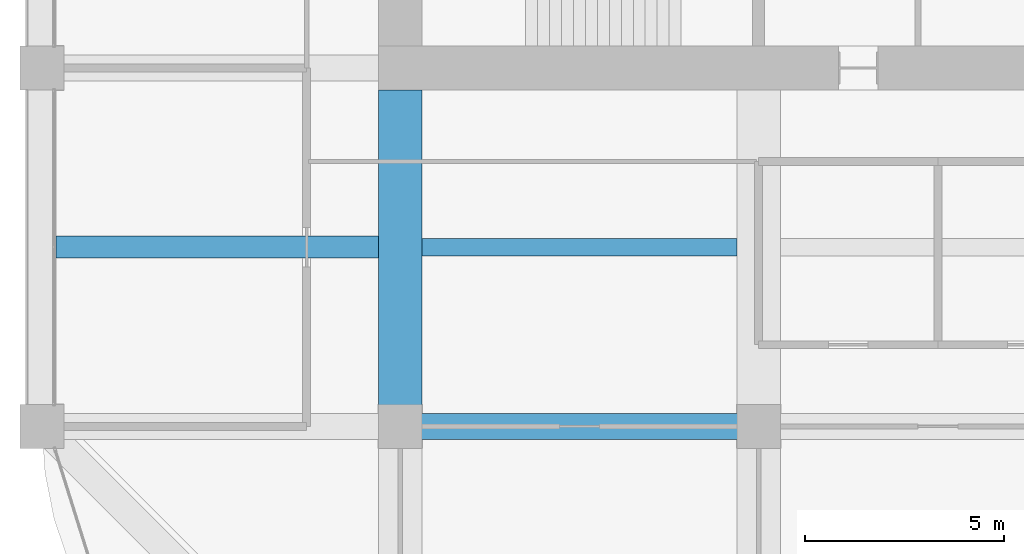
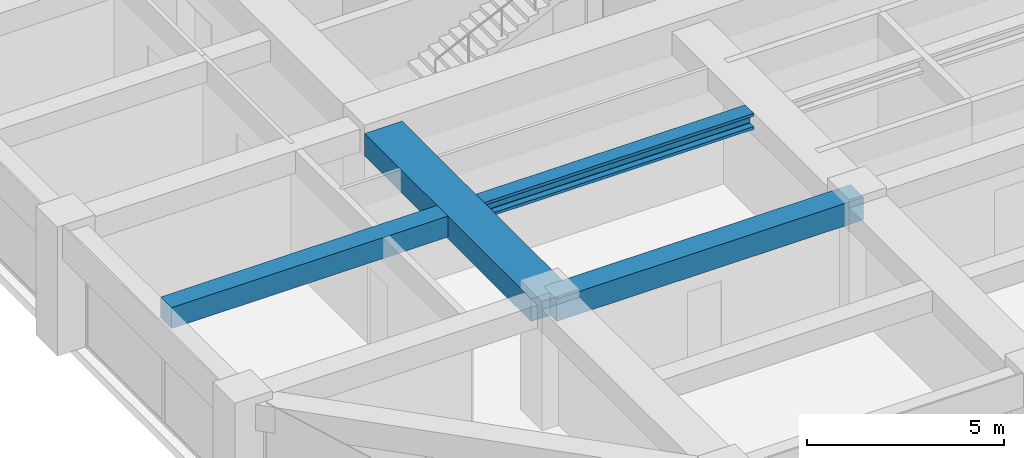
# One storey, part 8 of 44: 4 beams.
"""IFC4 building model written with IfcOpenShell, lengths in metres."""

from ifc_helpers import new_model, si_unit, direction, frame, origin, origin_2d, place, context, subcontext, project, spatial, rectangle, i_section, extrude, material, material_profile, profile_set, type_object, element, save


model = new_model("IFC4")

# Units and contexts
model_context = context("Model", 3, precision=1e-05, world=origin(), true_north=direction((0.0, 1.0)))
body_context = subcontext(model_context, "Body", "Model", "MODEL_VIEW")
ifc_project = project(units=[si_unit("LENGTHUNIT", "METRE"), si_unit("AREAUNIT", "SQUARE_METRE"), si_unit("VOLUMEUNIT", "CUBIC_METRE"), si_unit("PLANEANGLEUNIT", "RADIAN"), si_unit("MASSUNIT", "GRAM", prefix="KILO")], contexts=[model_context])

# Site, building, storey
site_placement = place(None, origin())
site = spatial("IfcSite", under=ifc_project, at=site_placement, CompositionType="ELEMENT")
building_placement = place(site_placement, origin())
building = spatial("IfcBuilding", under=site, at=building_placement, Name="Zorevar Civic Tower", CompositionType="ELEMENT")
storey_placement = place(building_placement, frame((0.0, 0.0, 263.39990234375)))
storey = spatial("IfcBuildingStorey", under=building, at=storey_placement, Name="L64", CompositionType="ELEMENT", Elevation=263.39990234375)

# Beams
ifc_material_1 = material(Name="Concrete C50/60", Category="concrete")
ifc_material_profile_1 = material_profile(ifc_material_1, rectangle(XDim=1.10009765625, YDim=0.699951171875, at=origin_2d()), Name="RC 1100x700")
ifc_profile_set_1 = profile_set([ifc_material_profile_1], Name="Concrete C50/60")
beam_type_1 = type_object("IfcBeamType", Name="Beam RC 1100x700", PredefinedType="BEAM", material=ifc_profile_set_1)
beam_1_placement = place(storey_placement, frame((18.0, 9.0, 3.400146484375), z_axis=(0.0, 1.0, 0.0), x_axis=(-1.0, 0.0, 0.0)))
element("IfcBeam", 1, at=beam_1_placement, inside=storey, type_object=beam_type_1, Name="Girder L65", PredefinedType="BEAM", context=body_context, shape_type="SweptSolid", body=[
    extrude(rectangle(XDim=1.10009765625, YDim=0.699951171875, at=origin_2d()), origin(), (0.0, 0.0, 1.0), 8.449951171875),
])
ifc_material_2 = material(Name="Concrete C50/60", Category="concrete")
ifc_material_profile_2 = material_profile(ifc_material_2, rectangle(XDim=0.550048828125, YDim=0.64990234375, at=origin_2d()), Name="RC 550x650")
ifc_profile_set_2 = profile_set([ifc_material_profile_2], Name="Concrete C50/60")
beam_type_2 = type_object("IfcBeamType", Name="Beam RC 550x650", PredefinedType="BEAM", material=ifc_profile_set_2)
beam_2_placement = place(storey_placement, frame((9.35009765625, 13.5, 3.425048828125), z_axis=(1.0, 0.0, 0.0), x_axis=(0.0, 1.0, 0.0)))
element("IfcBeam", 2, at=beam_2_placement, inside=storey, type_object=beam_type_2, Name="Secondary beam L65", PredefinedType="BEAM", context=body_context, shape_type="SweptSolid", body=[
    extrude(rectangle(XDim=0.550048828125, YDim=0.64990234375, at=origin_2d()), origin(), (0.0, 0.0, 1.0), 8.099853515625),
])
ifc_material_3 = material(Name="Concrete C50/60", Category="concrete")
ifc_material_profile_3 = material_profile(ifc_material_3, rectangle(XDim=0.64990234375, YDim=0.699951171875, at=origin_2d()), Name="RC 650x700")
ifc_profile_set_3 = profile_set([ifc_material_profile_3], Name="Concrete C50/60")
beam_type_3 = type_object("IfcBeamType", Name="Beam RC 650x700", PredefinedType="BEAM", material=ifc_profile_set_3)
beam_3_placement = place(storey_placement, frame((18.0, 9.0, 3.400146484375), z_axis=(1.0, 0.0, 0.0), x_axis=(0.0, 1.0, 0.0)))
element("IfcBeam", 3, at=beam_3_placement, inside=storey, type_object=beam_type_3, Name="Girder L65", PredefinedType="BEAM", context=body_context, shape_type="SweptSolid", body=[
    extrude(rectangle(XDim=0.64990234375, YDim=0.699951171875, at=origin_2d()), origin(), (0.0, 0.0, 1.0), 9.0),
])
ifc_material_4 = material(Name="Steel S460M (HISTAR 460)", Category="steel")
ifc_material_profile_4 = material_profile(ifc_material_4, i_section(OverallWidth=0.431884765625, OverallDepth=0.498046875, WebThickness=0.0556640625, FlangeThickness=0.0888671875, FilletRadius=0.014892578125, at=origin_2d()), Name="HD 400x744")
ifc_profile_set_4 = profile_set([ifc_material_profile_4], Name="Steel S460M (HISTAR 460)")
beam_type_4 = type_object("IfcBeamType", Name="Core bay beam HD 400x744", PredefinedType="BEAM", material=ifc_profile_set_4)
beam_4_placement = place(storey_placement, frame((18.550048828125, 13.5, 3.5009765625), z_axis=(1.0, 0.0, 0.0), x_axis=(0.0, 1.0, 0.0)))
element("IfcBeam", 4, at=beam_4_placement, inside=storey, type_object=beam_type_4, Name="Secondary beam L65", PredefinedType="BEAM", context=body_context, shape_type="SweptSolid", body=[
    extrude(i_section(OverallWidth=0.431884765625, OverallDepth=0.498046875, WebThickness=0.0556640625, FlangeThickness=0.0888671875, FilletRadius=0.014892578125, at=origin_2d()), origin(), (0.0, 0.0, 1.0), 7.89990234375),
])

save(model, "model.ifc")
